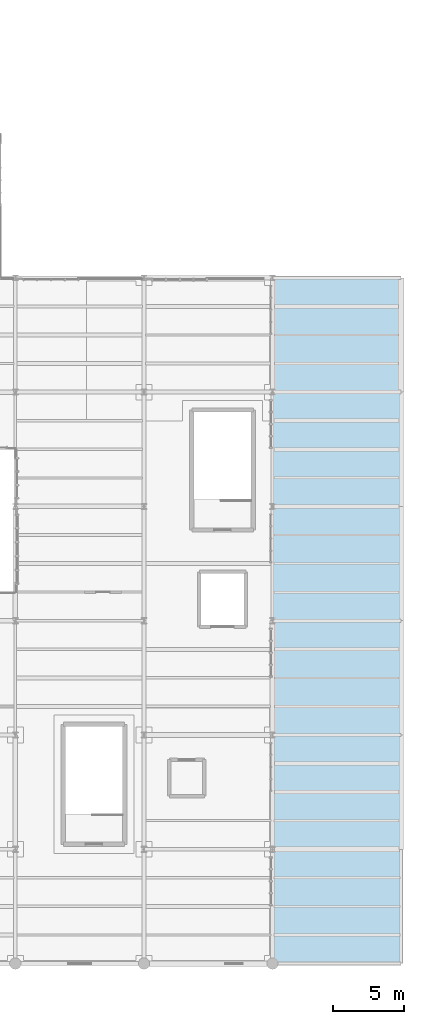
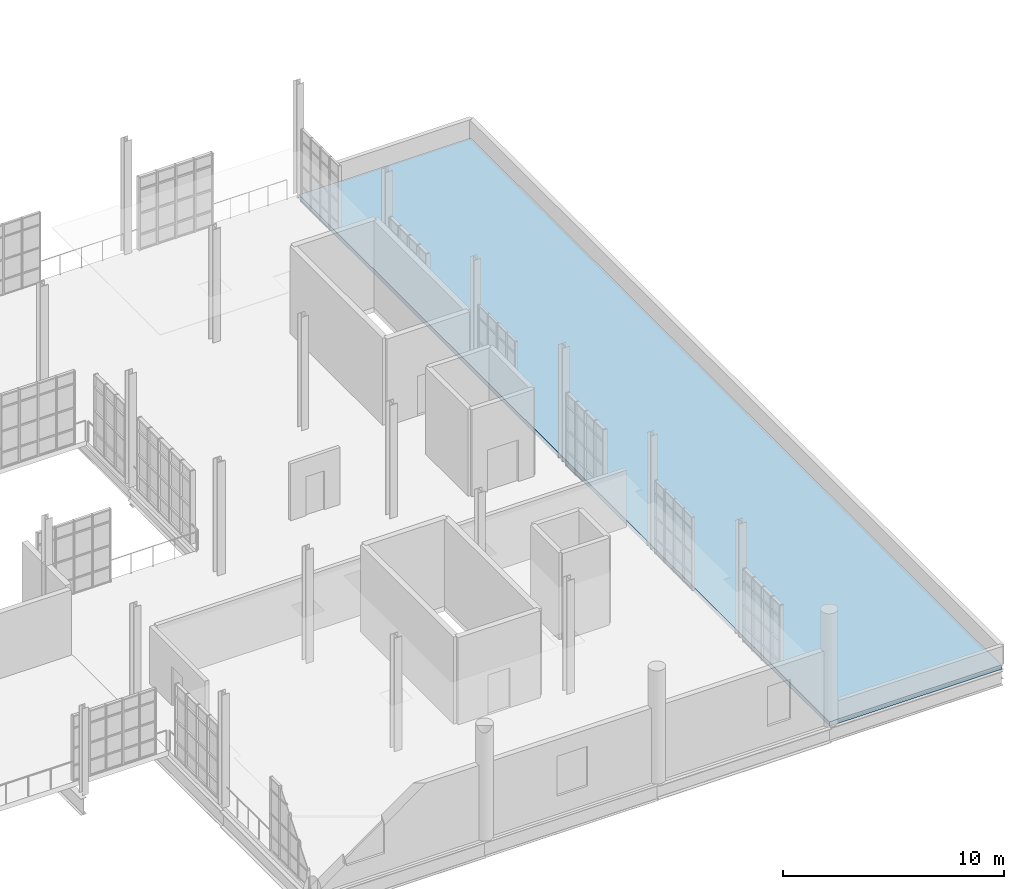
# One storey, part 99 of 118: 1 slab.
"""IFC4 building model written with IfcOpenShell, lengths in metres."""

from ifc_helpers import new_model, si_unit, direction, frame, origin, place, context, subcontext, project, spatial, polyline, outline, extrude, material, layer, layer_set, type_object, element, save


model = new_model("IFC4")

# Units and contexts
model_context = context("Model", 3, precision=1e-05, world=origin(), true_north=direction((0.0, 1.0)))
body_context = subcontext(model_context, "Body", "Model", "MODEL_VIEW")
ifc_project = project(units=[si_unit("LENGTHUNIT", "METRE"), si_unit("AREAUNIT", "SQUARE_METRE"), si_unit("VOLUMEUNIT", "CUBIC_METRE"), si_unit("PLANEANGLEUNIT", "RADIAN"), si_unit("MASSUNIT", "GRAM", prefix="KILO"), si_unit("THERMODYNAMICTEMPERATUREUNIT", "KELVIN"), si_unit("POWERUNIT", "WATT")], contexts=[model_context])

# Site, building, storey
site_placement = place(None, origin())
site = spatial("IfcSite", under=ifc_project, at=site_placement, CompositionType="ELEMENT")
building_placement = place(site_placement, origin())
building = spatial("IfcBuilding", under=site, at=building_placement, Name="Zelmaris Science Centre", CompositionType="ELEMENT")
storey_placement = place(building_placement, frame((0.0, 0.0, 15.60009765625)))
storey = spatial("IfcBuildingStorey", under=building, at=storey_placement, Name="L03", CompositionType="ELEMENT", Elevation=15.60009765625)

# Slab
ifc_material = material(Name="Concrete C35/45", Category="concrete")
ifc_layer = layer(ifc_material, 0.239990234375, Name="Concrete C35/45")
ifc_layer_set = layer_set([ifc_layer], Name="Concrete C35/45")
slab_type = type_object("IfcSlabType", Name="Slab SL-RF240 240mm", PredefinedType="ROOF", material=ifc_layer_set)
slab_placement = place(storey_placement, frame((0.0, 0.0, -0.239990234375)))
element("IfcSlab", 1, at=slab_placement, inside=storey, type_object=slab_type, Name="L03 East laboratory bay stepped roof slab", PredefinedType="ROOF", context=body_context, shape_type="SweptSolid", body=[
    extrude(outline(polyline([(144.0, 56.0), (144.0, 8.0), (135.010009765625, 8.0), (135.010009765625, 56.0), (144.0, 56.0)])), origin(), (0.0, 0.0, 1.0), 0.239990234375),
])

save(model, "model.ifc")
